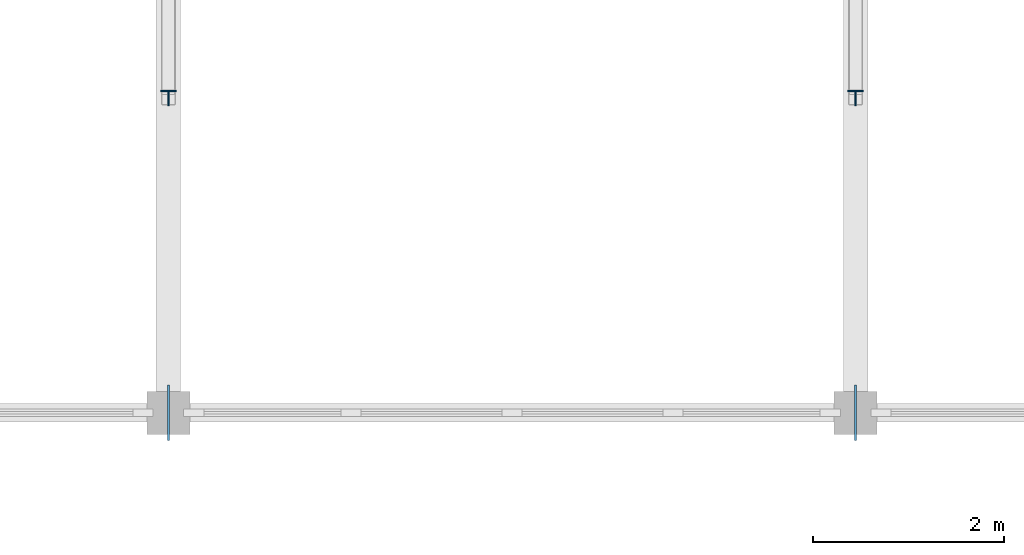
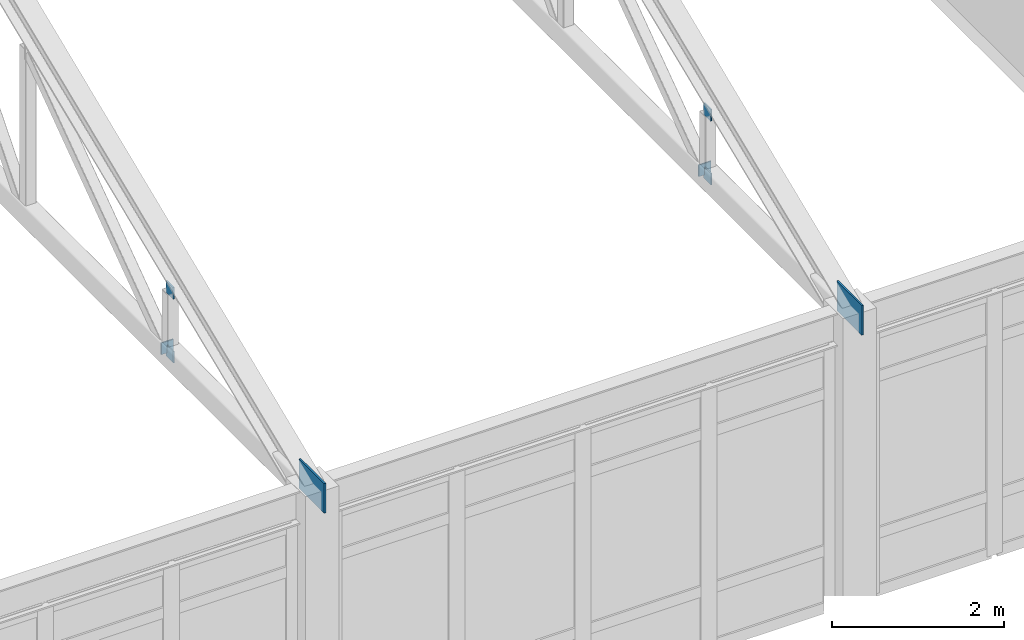
# One storey, part 98 of 136: 8 plates.
"""IFC4 building model written with IfcOpenShell, lengths in metres."""

from ifc_helpers import new_model, si_unit, direction, frame, origin, origin_2d, place, context, subcontext, project, spatial, rectangle, extrude, material, layer, layer_set, type_object, element, save


model = new_model("IFC4")

# Units and contexts
model_context = context("Model", 3, precision=1e-05, world=origin(), true_north=direction((0.0, 1.0)))
body_context = subcontext(model_context, "Body", "Model", "MODEL_VIEW")
ifc_project = project(units=[si_unit("LENGTHUNIT", "METRE"), si_unit("AREAUNIT", "SQUARE_METRE"), si_unit("VOLUMEUNIT", "CUBIC_METRE"), si_unit("PLANEANGLEUNIT", "RADIAN"), si_unit("MASSUNIT", "GRAM", prefix="KILO")], contexts=[model_context])

# Site, building, storey
site_placement = place(None, origin())
site = spatial("IfcSite", under=ifc_project, at=site_placement, CompositionType="ELEMENT")
building_placement = place(site_placement, origin())
building = spatial("IfcBuilding", under=site, at=building_placement, Name="Koriwan Promenade Central Fire Station", CompositionType="ELEMENT")
storey_placement = place(building_placement, frame((0.0, 0.0, 5.39990234375)))
storey = spatial("IfcBuildingStorey", under=building, at=storey_placement, Name="L01", CompositionType="ELEMENT", Elevation=5.39990234375)

# Plates
ifc_material = material(Name="Steel ASTM A572 Grade 50", Category="steel")
ifc_layer_1 = layer(ifc_material, 0.01611328125, Name="Steel ASTM A572 Grade 50")
ifc_layer_set_1 = layer_set([ifc_layer_1], Name="Steel ASTM A572 Grade 50")
plate_type_1 = type_object("IfcPlateType", Name="EndCap_HSS150", PredefinedType="SHEET", material=ifc_layer_set_1)
for number, where, z_axis, x_axis, name in (
    (1, (86.39990234375, 46.5, 3.9296875), (0.0, 0.0, 1.0), (1.0, 0.0, 0.0), "TR_V1_05 vertical 1 end cap 1"),
    (2, (86.39990234375, 46.5, 4.83251953125), (0.0, 0.0, 1.0), (1.0, 0.0, 0.0), "TR_V1_05 vertical 1 end cap 2"),
    (3, (86.39990234375, 46.573486328125, 3.98291015625), (0.0, 0.0, 1.0), (0.0, 1.0, 0.0), "TR_V1_05 web diagonal 2 end cap 1"),
    (4, (93.60009765625, 46.5, 3.9296875), (0.0, 0.0, 1.0), (1.0, 0.0, 0.0), "TR_V1_06 vertical 1 end cap 1"),
    (5, (93.60009765625, 46.5, 4.83251953125), (0.0, 0.0, 1.0), (1.0, 0.0, 0.0), "TR_V1_06 vertical 1 end cap 2"),
    (6, (93.60009765625, 46.573486328125, 3.98291015625), (0.0, 0.0, 1.0), (0.0, 1.0, 0.0), "TR_V1_06 web diagonal 2 end cap 1"),
):
    element("IfcPlate", number, at=place(storey_placement, frame(where, z_axis=z_axis, x_axis=x_axis)), inside=storey, type_object=plate_type_1, Name=name, PredefinedType="SHEET", context=body_context, shape_type="SweptSolid", body=[
        extrude(rectangle(XDim=0.01611328125, YDim=0.1650390625, at=origin_2d()), origin(), (0.0, 0.0, 1.0), 0.1650390625),
    ])
ifc_layer_2 = layer(ifc_material, 0.419921875, Name="Steel ASTM A572 Grade 50")
ifc_layer_set_2 = layer_set([ifc_layer_2], Name="Steel ASTM A572 Grade 50")
plate_type_2 = type_object("IfcPlateType", Name="NodeGusset_Eave", PredefinedType="SHEET", material=ifc_layer_set_2)
for number, where, z_axis, x_axis, name in (
    (7, (86.39990234375, 43.199951171875, 3.93017578125), (0.0, 0.0, 1.0), (1.0, 0.0, 0.0), "TR_V1_05 eave node gusset TN-E1 (S)"),
    (8, (93.60009765625, 43.199951171875, 3.93017578125), (0.0, 0.0, 1.0), (1.0, 0.0, 0.0), "TR_V1_06 eave node gusset TN-E1 (S)"),
):
    element("IfcPlate", number, at=place(storey_placement, frame(where, z_axis=z_axis, x_axis=x_axis)), inside=storey, type_object=plate_type_2, Name=name, PredefinedType="SHEET", context=body_context, shape_type="SweptSolid", body=[
        extrude(rectangle(XDim=0.02197265625, YDim=0.580078125, at=origin_2d()), origin(), (0.0, 0.0, 1.0), 0.419921875),
    ])

save(model, "model.ifc")
